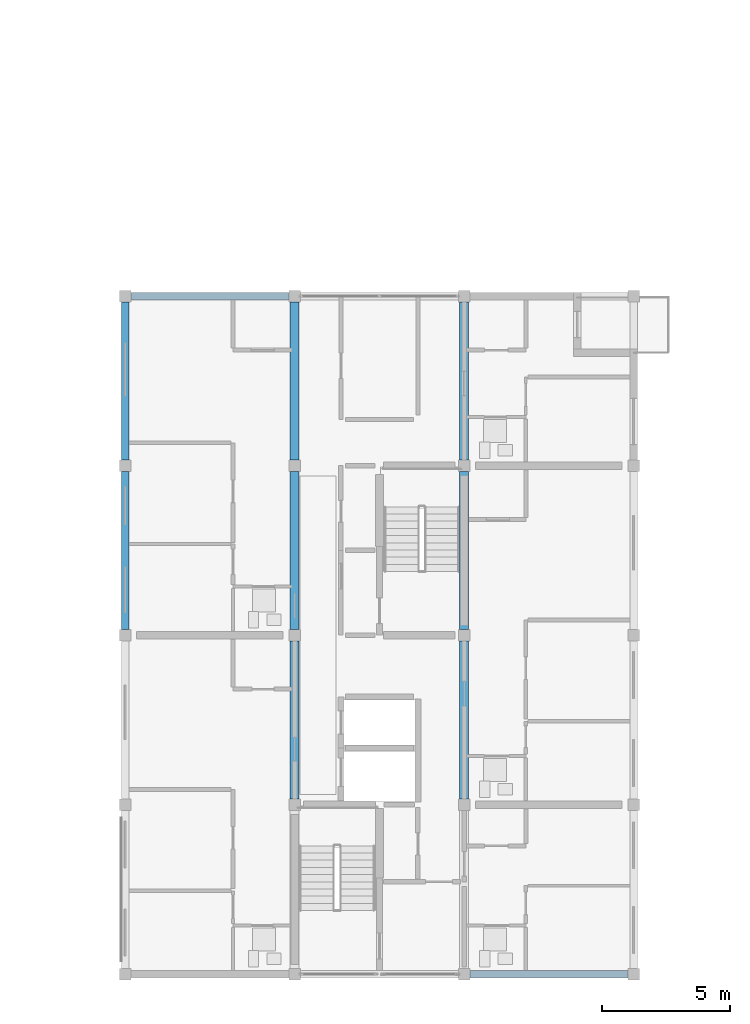
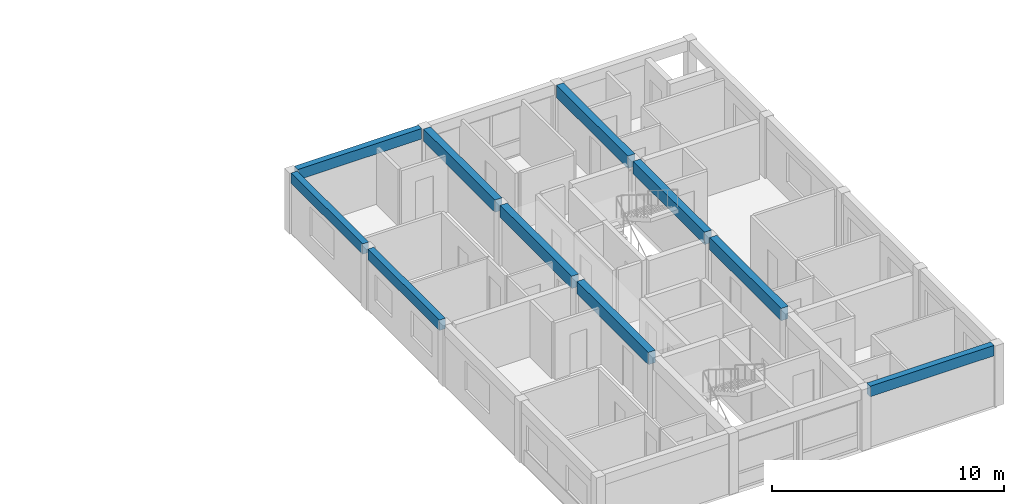
# One storey, part 11 of 46: 10 beams.
"""IFC4 building model written with IfcOpenShell, lengths in metres."""

from ifc_helpers import new_model, si_unit, direction, frame, origin, origin_2d, place, context, subcontext, project, spatial, rectangle, extrude, material, material_profile, profile_set, type_object, element, save


model = new_model("IFC4")

# Units and contexts
model_context = context("Model", 3, precision=1e-05, world=origin(), true_north=direction((0.0, 1.0)))
body_context = subcontext(model_context, "Body", "Model", "MODEL_VIEW")
ifc_project = project(units=[si_unit("LENGTHUNIT", "METRE"), si_unit("AREAUNIT", "SQUARE_METRE"), si_unit("VOLUMEUNIT", "CUBIC_METRE"), si_unit("PLANEANGLEUNIT", "RADIAN"), si_unit("MASSUNIT", "GRAM", prefix="KILO")], contexts=[model_context])

# Site, building, storey
site_placement = place(None, origin())
site = spatial("IfcSite", under=ifc_project, at=site_placement, CompositionType="ELEMENT")
building_placement = place(site_placement, origin())
building = spatial("IfcBuilding", under=site, at=building_placement, Name="Kernevlak Ridge Housing Community", CompositionType="ELEMENT")
storey_placement = place(building_placement, frame((0.0, 0.0, 27.60009765625)))
storey = spatial("IfcBuildingStorey", under=building, at=storey_placement, Name="L08", CompositionType="ELEMENT", Elevation=27.60009765625)

# Beams
ifc_material = material(Name="Concrete C35/45", Category="concrete")
ifc_material_profile_1 = material_profile(ifc_material, rectangle(XDim=0.35009765625, YDim=0.64990234375, at=origin_2d()), Name="RC 350x650")
ifc_profile_set_1 = profile_set([ifc_material_profile_1], Name="Concrete C35/45")
beam_type_1 = type_object("IfcBeamType", Name="B-02", PredefinedType="BEAM", material=ifc_profile_set_1)
beam_1_placement = place(storey_placement, frame((132.60009765625, 22.425048828125, 2.875), z_axis=(0.0, 1.0, 0.0), x_axis=(-1.0, 0.0, 0.0)))
element("IfcBeam", 1, at=beam_1_placement, inside=storey, type_object=beam_type_1, Name="Beam B-02 L08 1183", PredefinedType="BEAM", context=body_context, shape_type="SweptSolid", body=[
    extrude(rectangle(XDim=0.35009765625, YDim=0.64990234375, at=origin_2d()), origin(), (0.0, 0.0, 1.0), 6.14990234375),
])
beam_2_placement = place(storey_placement, frame((132.60009765625, 29.02490234375, 2.875), z_axis=(0.0, 1.0, 0.0), x_axis=(-1.0, 0.0, 0.0)))
element("IfcBeam", 2, at=beam_2_placement, inside=storey, type_object=beam_type_1, Name="Beam B-02 L08 1184", PredefinedType="BEAM", context=body_context, shape_type="SweptSolid", body=[
    extrude(rectangle(XDim=0.35009765625, YDim=0.64990234375, at=origin_2d()), origin(), (0.0, 0.0, 1.0), 6.150146484375),
])
for number, where, z_axis, x_axis, name in (
    (3, (132.60009765625, 35.625, 2.875), (0.0, 1.0, 0.0), (-1.0, 0.0, 0.0), "Beam B-02 L08 1185"),
    (4, (139.199951171875, 22.425048828125, 2.875), (0.0, 1.0, 0.0), (-1.0, 0.0, 0.0), "Beam B-02 L08 1187"),
):
    element("IfcBeam", number, at=place(storey_placement, frame(where, z_axis=z_axis, x_axis=x_axis)), inside=storey, type_object=beam_type_1, Name=name, PredefinedType="BEAM", context=body_context, shape_type="SweptSolid", body=[
        extrude(rectangle(XDim=0.35009765625, YDim=0.64990234375, at=origin_2d()), origin(), (0.0, 0.0, 1.0), 6.14990234375),
    ])
beam_3_placement = place(storey_placement, frame((139.199951171875, 29.02490234375, 2.875), z_axis=(0.0, 1.0, 0.0), x_axis=(-1.0, 0.0, 0.0)))
element("IfcBeam", 5, at=beam_3_placement, inside=storey, type_object=beam_type_1, Name="Beam B-02 L08 1188", PredefinedType="BEAM", context=body_context, shape_type="SweptSolid", body=[
    extrude(rectangle(XDim=0.35009765625, YDim=0.64990234375, at=origin_2d()), origin(), (0.0, 0.0, 1.0), 6.150146484375),
])
beam_4_placement = place(storey_placement, frame((139.199951171875, 35.625, 2.875), z_axis=(0.0, 1.0, 0.0), x_axis=(-1.0, 0.0, 0.0)))
element("IfcBeam", 6, at=beam_4_placement, inside=storey, type_object=beam_type_1, Name="Beam B-02 L08 1189", PredefinedType="BEAM", context=body_context, shape_type="SweptSolid", body=[
    extrude(rectangle(XDim=0.35009765625, YDim=0.64990234375, at=origin_2d()), origin(), (0.0, 0.0, 1.0), 6.14990234375),
])
ifc_material_profile_2 = material_profile(ifc_material, rectangle(XDim=0.300048828125, YDim=0.550048828125, at=origin_2d()), Name="RC 300x550")
ifc_profile_set_2 = profile_set([ifc_material_profile_2], Name="Concrete C35/45")
beam_type_2 = type_object("IfcBeamType", Name="SP-01", PredefinedType="SPANDREL", material=ifc_profile_set_2)
beam_5_placement = place(storey_placement, frame((126.0, 29.02490234375, 2.9248046875), z_axis=(0.0, 1.0, 0.0), x_axis=(-1.0, 0.0, 0.0)))
element("IfcBeam", 7, at=beam_5_placement, inside=storey, type_object=beam_type_2, Name="Beam SP-01 L08 1180", PredefinedType="SPANDREL", context=body_context, shape_type="SweptSolid", body=[
    extrude(rectangle(XDim=0.300048828125, YDim=0.550048828125, at=origin_2d()), origin(), (0.0, 0.0, 1.0), 6.150146484375),
])
for number, where, z_axis, x_axis, name in (
    (8, (126.0, 35.625, 2.9248046875), (0.0, 1.0, 0.0), (-1.0, 0.0, 0.0), "Beam SP-01 L08 1181"),
    (9, (139.425048828125, 15.60009765625, 2.9248046875), (1.0, 0.0, 0.0), (0.0, 1.0, 0.0), "Beam SP-01 L08 1196"),
    (10, (126.22509765625, 42.0, 2.9248046875), (1.0, 0.0, 0.0), (0.0, 1.0, 0.0), "Beam SP-01 L08 1197"),
):
    element("IfcBeam", number, at=place(storey_placement, frame(where, z_axis=z_axis, x_axis=x_axis)), inside=storey, type_object=beam_type_2, Name=name, PredefinedType="SPANDREL", context=body_context, shape_type="SweptSolid", body=[
        extrude(rectangle(XDim=0.300048828125, YDim=0.550048828125, at=origin_2d()), origin(), (0.0, 0.0, 1.0), 6.14990234375),
    ])

save(model, "model.ifc")
